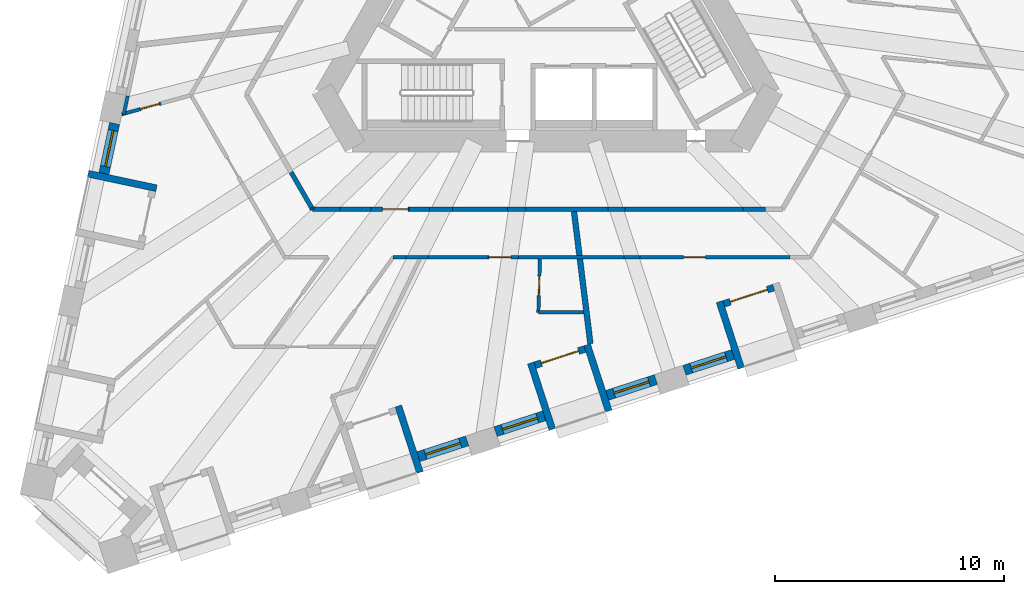
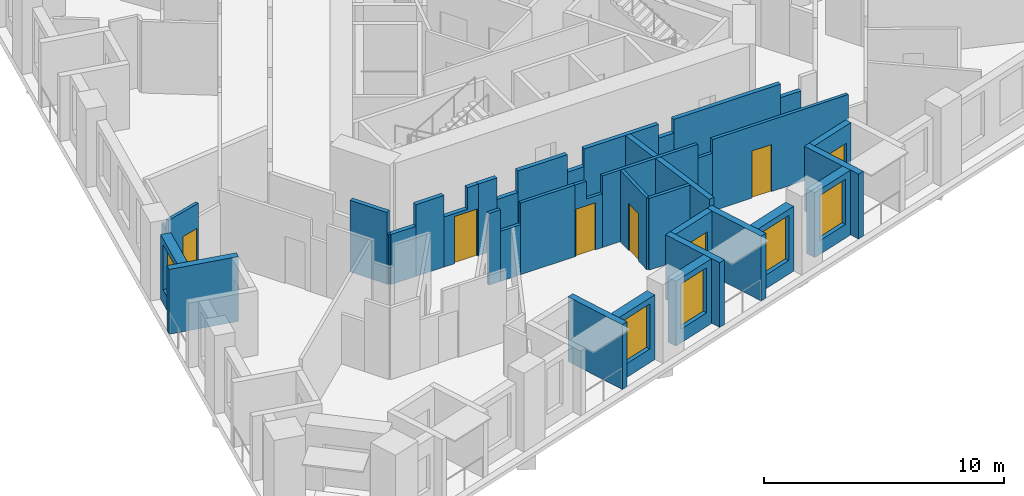
# One storey, part 3 of 13: 37 walls, 7 doors, 5 windows, 12 openings.
"""IFC4 building model written with IfcOpenShell, lengths in metres."""

from ifc_helpers import new_model, si_unit, direction, frame, frame_2d, origin, place, context, subcontext, project, spatial, polyline, rectangle, outline, extrude, material, layer, layer_set, type_object, element, fill, save


model = new_model("IFC4")

# Units and contexts
model_context = context("Model", 3, precision=1e-05, world=origin(), true_north=direction((0.0, 1.0)))
body_context = subcontext(model_context, "Body", "Model", "MODEL_VIEW")
ifc_project = project(units=[si_unit("LENGTHUNIT", "METRE"), si_unit("AREAUNIT", "SQUARE_METRE"), si_unit("VOLUMEUNIT", "CUBIC_METRE"), si_unit("PLANEANGLEUNIT", "RADIAN"), si_unit("MASSUNIT", "GRAM", prefix="KILO")], contexts=[model_context])

# Site, building, storey
site_placement = place(None, origin())
site = spatial("IfcSite", under=ifc_project, at=site_placement, CompositionType="ELEMENT")
building_placement = place(site_placement, origin())
building = spatial("IfcBuilding", under=site, at=building_placement, Name="Tramontana Tower", CompositionType="ELEMENT")
storey_placement = place(building_placement, frame((0.0, 0.0, 108.39990234375)))
storey = spatial("IfcBuildingStorey", under=building, at=storey_placement, Name="L24", CompositionType="ELEMENT", Elevation=108.39990234375)

# Walls
ifc_material_1 = material(Name="Blockwork", Category="masonry")
ifc_layer_1 = layer(ifc_material_1, 0.199951171875)
ifc_layer_set_1 = layer_set([ifc_layer_1], Name="ENTRY WALL 200")
wall_type_1 = type_object("IfcWallType", Name="ENTRY WALL 200", PredefinedType="SOLIDWALL", material=ifc_layer_set_1)
wall_1_placement = place(storey_placement, frame((9.50439453125, -9.25, 0.0), z_axis=(0.0, 0.0, 1.0), x_axis=(-1.0, 0.0, 0.0)))
element("IfcWall", 1, at=wall_1_placement, inside=storey, type_object=wall_type_1, Name="Wall v21-ew2-1", PredefinedType="SOLIDWALL", context=body_context, shape_type="SweptSolid", body=[
    extrude(rectangle(XDim=0.9775390625, YDim=0.199951171875, at=frame_2d((0.48876953125, 0.0))), origin(), (0.0, 0.0, 1.0), 2.9501953125),
])
wall_2_placement = place(storey_placement, frame((8.52685546875, -9.25, 0.0), z_axis=(0.0, 0.0, 1.0), x_axis=(-1.0, 0.0, 0.0)))
element("IfcWall", 2, at=wall_2_placement, inside=storey, type_object=wall_type_1, Name="Wall v21-ew2-2", PredefinedType="SOLIDWALL", context=body_context, shape_type="SweptSolid", body=[
    extrude(rectangle(XDim=5.1533203125, YDim=0.199951171875, at=frame_2d((2.57666015625, 0.0))), origin(), (0.0, 0.0, 1.0), 3.650146484375),
])
wall_3_placement = place(storey_placement, frame((3.37353515625, -9.25, 0.0), z_axis=(0.0, 0.0, 1.0), x_axis=(-1.0, 0.0, 0.0)))
element("IfcWall", 3, at=wall_3_placement, inside=storey, type_object=wall_type_1, Name="Wall v21-ew2-3", PredefinedType="SOLIDWALL", context=body_context, shape_type="SweptSolid", body=[
    extrude(rectangle(XDim=0.736083984375, YDim=0.199951171875, at=frame_2d((0.3681640625, 0.0))), origin(), (0.0, 0.0, 1.0), 2.9501953125),
])
wall_4_placement = place(storey_placement, frame((2.637451171875, -9.25, 0.0), z_axis=(0.0, 0.0, 1.0), x_axis=(-1.0, 0.0, 0.0)))
element("IfcWall", 4, at=wall_4_placement, inside=storey, type_object=wall_type_1, Name="Wall v21-ew2-4", PredefinedType="SOLIDWALL", context=body_context, shape_type="SweptSolid", body=[
    extrude(rectangle(XDim=3.576904296875, YDim=0.199951171875, at=frame_2d((1.78857421875, 0.0))), origin(), (0.0, 0.0, 1.0), 3.650146484375),
])
wall_5_placement = place(storey_placement, frame((-0.939453125, -9.25, 0.0), z_axis=(0.0, 0.0, 1.0), x_axis=(-1.0, 0.0, 0.0)))
element("IfcWall", 5, at=wall_5_placement, inside=storey, type_object=wall_type_1, Name="Wall v21-ew2-5", PredefinedType="SOLIDWALL", context=body_context, shape_type="SweptSolid", body=[
    extrude(rectangle(XDim=0.808349609375, YDim=0.199951171875, at=frame_2d((0.404296875, 0.0))), origin(), (0.0, 0.0, 1.0), 2.75),
])
wall_6_placement = place(storey_placement, frame((-1.747802734375, -9.25, 0.0), z_axis=(0.0, 0.0, 1.0), x_axis=(-1.0, 0.0, 0.0)))
element("IfcWall", 6, at=wall_6_placement, inside=storey, type_object=wall_type_1, Name="Wall v21-ew2-6", PredefinedType="SOLIDWALL", context=body_context, shape_type="SweptSolid", body=[
    extrude(rectangle(XDim=2.385498046875, YDim=0.199951171875, at=frame_2d((1.19287109375, 0.0))), origin(), (0.0, 0.0, 1.0), 3.650146484375),
])
wall_7_placement = place(storey_placement, frame((-4.13330078125, -9.25, 0.0), z_axis=(0.0, 0.0, 1.0), x_axis=(-1.0, 0.0, 0.0)))
element("IfcWall", 7, at=wall_7_placement, inside=storey, type_object=wall_type_1, Name="Wall v21-ew2-7", PredefinedType="SOLIDWALL", context=body_context, shape_type="SweptSolid", body=[
    extrude(rectangle(XDim=1.0068359375, YDim=0.199951171875, at=frame_2d((0.50341796875, 0.0))), origin(), (0.0, 0.0, 1.0), 2.550048828125),
])
wall_8_placement = place(storey_placement, frame((-5.14013671875, -9.25, 0.0), z_axis=(0.0, 0.0, 1.0), x_axis=(-1.0, 0.0, 0.0)))
element("IfcWall", 8, at=wall_8_placement, inside=storey, type_object=wall_type_1, Name="Wall v21-ew2-8", PredefinedType="SOLIDWALL", context=body_context, shape_type="SweptSolid", body=[
    extrude(rectangle(XDim=0.89990234375, YDim=0.199951171875, at=frame_2d((0.449951171875, 0.0))), origin(), (0.0, 0.0, 1.0), 3.650146484375),
])

# Wall, opening, door
wall_9_placement = place(storey_placement, frame((-7.695556640625, -9.25, 0.0), z_axis=(0.0, 0.0, 1.0), x_axis=(1.0, 0.0, 0.0)))
wall_9 = element("IfcWall", 9, at=wall_9_placement, inside=storey, type_object=wall_type_1, Name="Wall v21-ew2-9", PredefinedType="SOLIDWALL", context=body_context, shape_type="SweptSolid", body=[
    extrude(outline(polyline([(0.0, 0.0), (1.655517578125, 0.0), (1.655517578125, 3.650146484375), (1.13623046875, 3.650146484375), (1.13623046875, 2.550048828125), (0.0, 2.550048828125), (0.0, 0.0)])), frame((0.0, 0.10009765625, 0.0), z_axis=(0.0, -1.0, 0.0), x_axis=(1.0, 0.0, 0.0)), (0.0, 0.0, 1.0), 0.199951171875),
])
opening_1_placement = place(wall_9_placement, frame((0.50537109375, 0.0, 0.0)))
opening_1 = element("IfcOpeningElement", 10, at=opening_1_placement, cuts=wall_9, Name="Opening B2B-27", PredefinedType="OPENING", context=body_context, shape_type="SweptSolid", body=[
    extrude(rectangle(XDim=1.10009765625, YDim=2.39990234375, at=frame_2d((0.550048828125, 1.199951171875))), frame((0.0, 0.10986328125, 0.0), z_axis=(0.0, -1.0, 0.0), x_axis=(1.0, 0.0, 0.0)), (0.0, 0.0, 1.0), 0.219970703125),
])
ifc_material_2 = material(Name="Painted timber", Category="wood")
door_type_1 = type_object("IfcDoorType", Name="DOOR ENTRY 1100", OperationType="SINGLE_SWING_LEFT", PredefinedType="DOOR", material=ifc_material_2)
door_1_placement = place(opening_1_placement, origin())
door_1 = element("IfcDoor", 11, at=door_1_placement, inside=storey, type_object=door_type_1, Name="Door B2B-27", OperationType="SINGLE_SWING_LEFT", OverallHeight=2.39990234375, OverallWidth=1.10009765625, PredefinedType="DOOR", context=body_context, shape_type="SweptSolid", body=[
    extrude(rectangle(XDim=1.10009765625, YDim=2.39990234375, at=frame_2d((0.550048828125, 1.199951171875))), frame((0.0, 0.02490234375, 0.0), z_axis=(0.0, -1.0, 0.0), x_axis=(1.0, 0.0, 0.0)), (0.0, 0.0, 1.0), 0.050048828125),
])
fill(opening_1, door_1)

# Walls
wall_10_placement = place(storey_placement, frame((-7.695556640625, -9.25, 0.0), z_axis=(0.0, 0.0, 1.0), x_axis=(-1.0, 0.0, 0.0)))
element("IfcWall", 12, at=wall_10_placement, inside=storey, type_object=wall_type_1, Name="Wall v21-ew2-10", PredefinedType="SOLIDWALL", context=body_context, shape_type="SweptSolid", body=[
    extrude(rectangle(XDim=1.3603515625, YDim=0.199951171875, at=frame_2d((0.68017578125, 0.0))), origin(), (0.0, 0.0, 1.0), 3.650146484375),
])
wall_11_placement = place(storey_placement, frame((-9.055908203125, -9.25, 0.0), z_axis=(0.0, 0.0, 1.0), x_axis=(-1.0, 0.0, 0.0)))
element("IfcWall", 13, at=wall_11_placement, inside=storey, type_object=wall_type_1, Name="Wall v21-ew2-11", PredefinedType="SOLIDWALL", context=body_context, shape_type="SweptSolid", body=[
    extrude(rectangle(XDim=1.192138671875, YDim=0.199951171875, at=frame_2d((0.59619140625, 0.0))), origin(), (0.0, 0.0, 1.0), 2.550048828125),
])
wall_12_placement = place(storey_placement, frame((-10.248046875, -9.25, 0.0), z_axis=(0.0, 0.0, 1.0), x_axis=(-0.499103811596, 0.866542200502, 0.0)))
element("IfcWall", 14, at=wall_12_placement, inside=storey, type_object=wall_type_1, Name="Wall v21-ew3-0", PredefinedType="SOLIDWALL", context=body_context, shape_type="SweptSolid", body=[
    extrude(rectangle(XDim=0.079833984375, YDim=0.199951171875, at=frame_2d((0.0400390625, 0.0))), origin(), (0.0, 0.0, 1.0), 2.550048828125),
])
wall_13_placement = place(storey_placement, frame((-10.287841796875, -9.180908203125, 0.0), z_axis=(0.0, 0.0, 1.0), x_axis=(-0.499986405537, 0.866033252409, 0.0)))
element("IfcWall", 15, at=wall_13_placement, inside=storey, type_object=wall_type_1, Name="Wall v21-ew3-1", PredefinedType="SOLIDWALL", context=body_context, shape_type="SweptSolid", body=[
    extrude(rectangle(XDim=1.7880859375, YDim=0.199951171875, at=frame_2d((0.89404296875, 0.0))), origin(), (0.0, 0.0, 1.0), 3.650146484375),
])

# Wall, opening, window
ifc_material_3 = material(Name="Precast concrete 60 MPa", Category="concrete")
ifc_layer_2 = layer(ifc_material_3, 0.449951171875)
ifc_layer_set_2 = layer_set([ifc_layer_2], Name="Precast concrete 60 MPa, 450 mm")
wall_type_2 = type_object("IfcWallType", Name="EW1 Stone-faced precast wall 450", PredefinedType="SOLIDWALL", material=ifc_layer_set_2)
wall_14_placement = place(storey_placement, frame((-18.882080078125, -5.504638671875, 0.0), z_axis=(0.0, 0.0, 1.0), x_axis=(-0.207918801611, -0.978146089261, 0.0)))
wall_14 = element("IfcWall", 16, at=wall_14_placement, inside=storey, type_object=wall_type_2, Name="External wall L24 face 0 bay 5", PredefinedType="SOLIDWALL", context=body_context, shape_type="SweptSolid", body=[
    extrude(rectangle(XDim=2.23681640625, YDim=0.449951171875, at=frame_2d((1.118408203125, 0.0))), origin(), (0.0, 0.0, 1.0), 3.300048828125),
])
opening_2_placement = place(wall_14_placement, frame((0.318359375, 0.0, 0.699951171875)))
opening_2 = element("IfcOpeningElement", 17, at=opening_2_placement, cuts=wall_14, Name="Opening M1", PredefinedType="OPENING", context=body_context, shape_type="SweptSolid", body=[
    extrude(rectangle(XDim=1.60009765625, YDim=2.300048828125, at=frame_2d((0.800048828125, 1.14990234375))), frame((0.0, 0.23486328125, 0.0), z_axis=(0.0, -1.0, 0.0), x_axis=(1.0, 0.0, 0.0)), (0.0, 0.0, 1.0), 0.469970703125),
])
ifc_material_4 = material(Name="Aluminum frame, double glazing unit", Category="aluminium")
window_type = type_object("IfcWindowType", Name="M1 Window 1.6 x 2.3", PartitioningType="SINGLE_PANEL", PredefinedType="WINDOW", material=ifc_material_4)
window_1_placement = place(opening_2_placement, origin())
window_1 = element("IfcWindow", 18, at=window_1_placement, inside=storey, type_object=window_type, Name="Window M1 L24 face 0 module 13", OverallHeight=2.300048828125, OverallWidth=1.60009765625, PartitioningType="SINGLE_PANEL", PredefinedType="WINDOW", context=body_context, shape_type="SweptSolid", body=[
    extrude(rectangle(XDim=1.60009765625, YDim=2.300048828125, at=frame_2d((0.800048828125, 1.14990234375))), frame((0.0, 0.030029296875, 0.0), z_axis=(0.0, -1.0, 0.0), x_axis=(1.0, 0.0, 0.0)), (0.0, 0.0, 1.0), 0.06005859375),
])
fill(opening_2, window_1)

wall_15_placement = place(storey_placement, frame((-5.628173828125, -20.045166015625, 0.0), z_axis=(0.0, 0.0, 1.0), x_axis=(0.951057328329, 0.30901449518, 0.0)))
wall_15 = element("IfcWall", 19, at=wall_15_placement, inside=storey, type_object=wall_type_2, Name="External wall L24 face 1 bay 2", PredefinedType="SOLIDWALL", context=body_context, shape_type="SweptSolid", body=[
    extrude(rectangle(XDim=2.236572265625, YDim=0.449951171875, at=frame_2d((1.1181640625, 0.0))), origin(), (0.0, 0.0, 1.0), 3.300048828125),
])
opening_3_placement = place(wall_15_placement, frame((0.318359375, 0.0, 0.699951171875)))
opening_3 = element("IfcOpeningElement", 20, at=opening_3_placement, cuts=wall_15, Name="Opening M1", PredefinedType="OPENING", context=body_context, shape_type="SweptSolid", body=[
    extrude(rectangle(XDim=1.60009765625, YDim=2.300048828125, at=frame_2d((0.800048828125, 1.14990234375))), frame((0.0, 0.23486328125, 0.0), z_axis=(0.0, -1.0, 0.0), x_axis=(1.0, 0.0, 0.0)), (0.0, 0.0, 1.0), 0.469970703125),
])
window_2_placement = place(opening_3_placement, origin())
window_2 = element("IfcWindow", 21, at=window_2_placement, inside=storey, type_object=window_type, Name="Window M1 L24 face 1 module 6", OverallHeight=2.300048828125, OverallWidth=1.60009765625, PartitioningType="SINGLE_PANEL", PredefinedType="WINDOW", context=body_context, shape_type="SweptSolid", body=[
    extrude(rectangle(XDim=1.60009765625, YDim=2.300048828125, at=frame_2d((0.800048828125, 1.14990234375))), frame((0.0, 0.030029296875, 0.0), z_axis=(0.0, -1.0, 0.0), x_axis=(1.0, 0.0, 0.0)), (0.0, 0.0, 1.0), 0.06005859375),
])
fill(opening_3, window_2)

wall_16_placement = place(storey_placement, frame((-2.264404296875, -18.952392578125, 0.0), z_axis=(0.0, 0.0, 1.0), x_axis=(0.951057328329, 0.30901449518, 0.0)))
wall_16 = element("IfcWall", 22, at=wall_16_placement, inside=storey, type_object=wall_type_2, Name="External wall L24 face 1 bay 3", PredefinedType="SOLIDWALL", context=body_context, shape_type="SweptSolid", body=[
    extrude(rectangle(XDim=2.236572265625, YDim=0.449951171875, at=frame_2d((1.1181640625, 0.0))), origin(), (0.0, 0.0, 1.0), 3.300048828125),
])
opening_4_placement = place(wall_16_placement, frame((0.318359375, 0.0, 0.699951171875)))
opening_4 = element("IfcOpeningElement", 23, at=opening_4_placement, cuts=wall_16, Name="Opening M1", PredefinedType="OPENING", context=body_context, shape_type="SweptSolid", body=[
    extrude(rectangle(XDim=1.60009765625, YDim=2.300048828125, at=frame_2d((0.800048828125, 1.14990234375))), frame((0.0, 0.23486328125, 0.0), z_axis=(0.0, -1.0, 0.0), x_axis=(1.0, 0.0, 0.0)), (0.0, 0.0, 1.0), 0.469970703125),
])
window_3_placement = place(opening_4_placement, origin())
window_3 = element("IfcWindow", 24, at=window_3_placement, inside=storey, type_object=window_type, Name="Window M1 L24 face 1 module 7", OverallHeight=2.300048828125, OverallWidth=1.60009765625, PartitioningType="SINGLE_PANEL", PredefinedType="WINDOW", context=body_context, shape_type="SweptSolid", body=[
    extrude(rectangle(XDim=1.60009765625, YDim=2.300048828125, at=frame_2d((0.800048828125, 1.14990234375))), frame((0.0, 0.030029296875, 0.0), z_axis=(0.0, -1.0, 0.0), x_axis=(1.0, 0.0, 0.0)), (0.0, 0.0, 1.0), 0.06005859375),
])
fill(opening_4, window_3)

wall_17_placement = place(storey_placement, frame((2.608154296875, -17.369140625, 0.0), z_axis=(0.0, 0.0, 1.0), x_axis=(0.951067749801, 0.30898241906, 0.0)))
wall_17 = element("IfcWall", 25, at=wall_17_placement, inside=storey, type_object=wall_type_2, Name="External wall L24 face 1 bay 3", PredefinedType="SOLIDWALL", context=body_context, shape_type="SweptSolid", body=[
    extrude(rectangle(XDim=2.23681640625, YDim=0.449951171875, at=frame_2d((1.118408203125, 0.0))), origin(), (0.0, 0.0, 1.0), 3.300048828125),
])
opening_5_placement = place(wall_17_placement, frame((0.318359375, 0.0, 0.699951171875)))
opening_5 = element("IfcOpeningElement", 26, at=opening_5_placement, cuts=wall_17, Name="Opening M1", PredefinedType="OPENING", context=body_context, shape_type="SweptSolid", body=[
    extrude(rectangle(XDim=1.60009765625, YDim=2.300048828125, at=frame_2d((0.800048828125, 1.14990234375))), frame((0.0, 0.23486328125, 0.0), z_axis=(0.0, -1.0, 0.0), x_axis=(1.0, 0.0, 0.0)), (0.0, 0.0, 1.0), 0.469970703125),
])
window_4_placement = place(opening_5_placement, origin())
window_4 = element("IfcWindow", 27, at=window_4_placement, inside=storey, type_object=window_type, Name="Window M1 L24 face 1 module 9", OverallHeight=2.300048828125, OverallWidth=1.60009765625, PartitioningType="SINGLE_PANEL", PredefinedType="WINDOW", context=body_context, shape_type="SweptSolid", body=[
    extrude(rectangle(XDim=1.60009765625, YDim=2.300048828125, at=frame_2d((0.800048828125, 1.14990234375))), frame((0.0, 0.030029296875, 0.0), z_axis=(0.0, -1.0, 0.0), x_axis=(1.0, 0.0, 0.0)), (0.0, 0.0, 1.0), 0.06005859375),
])
fill(opening_5, window_4)

wall_18_placement = place(storey_placement, frame((5.971923828125, -16.276123046875, 0.0), z_axis=(0.0, 0.0, 1.0), x_axis=(0.951057328329, 0.30901449518, 0.0)))
wall_18 = element("IfcWall", 28, at=wall_18_placement, inside=storey, type_object=wall_type_2, Name="External wall L24 face 1 bay 4", PredefinedType="SOLIDWALL", context=body_context, shape_type="SweptSolid", body=[
    extrude(rectangle(XDim=2.236572265625, YDim=0.449951171875, at=frame_2d((1.1181640625, 0.0))), origin(), (0.0, 0.0, 1.0), 3.300048828125),
])
opening_6_placement = place(wall_18_placement, frame((0.318359375, 0.0, 0.699951171875)))
opening_6 = element("IfcOpeningElement", 29, at=opening_6_placement, cuts=wall_18, Name="Opening M1", PredefinedType="OPENING", context=body_context, shape_type="SweptSolid", body=[
    extrude(rectangle(XDim=1.60009765625, YDim=2.300048828125, at=frame_2d((0.800048828125, 1.14990234375))), frame((0.0, 0.23486328125, 0.0), z_axis=(0.0, -1.0, 0.0), x_axis=(1.0, 0.0, 0.0)), (0.0, 0.0, 1.0), 0.469970703125),
])
window_5_placement = place(opening_6_placement, origin())
window_5 = element("IfcWindow", 30, at=window_5_placement, inside=storey, type_object=window_type, Name="Window M1 L24 face 1 module 10", OverallHeight=2.300048828125, OverallWidth=1.60009765625, PartitioningType="SINGLE_PANEL", PredefinedType="WINDOW", context=body_context, shape_type="SweptSolid", body=[
    extrude(rectangle(XDim=1.60009765625, YDim=2.300048828125, at=frame_2d((0.800048828125, 1.14990234375))), frame((0.0, 0.030029296875, 0.0), z_axis=(0.0, -1.0, 0.0), x_axis=(1.0, 0.0, 0.0)), (0.0, 0.0, 1.0), 0.06005859375),
])
fill(opening_6, window_5)

# Walls
ifc_material_5 = material(Name="Precast concrete 60 MPa", Category="concrete")
ifc_layer_3 = layer(ifc_material_5, 0.300048828125)
ifc_layer_set_3 = layer_set([ifc_layer_3], Name="LW1 Stone-faced loggia wall 300")
wall_type_3 = type_object("IfcWallType", Name="LW1 Stone-faced loggia wall 300", PredefinedType="SOLIDWALL", material=ifc_layer_set_3)
for number, where, z_axis, x_axis, name in (
    (31, (-20.03857421875, -7.698974609375, 0.0), (0.0, 0.0, 1.0), (0.978154782045, -0.207877902534, 0.0), "Loggia return L24 G2S0.13a"),
    (32, (-5.562255859375, -20.733642578125, 0.0), (0.0, 0.0, 1.0), (-0.308966615996, 0.951072883748, 0.0), "Loggia return L24 G2S1.4b"),
):
    element("IfcWall", number, at=place(storey_placement, frame(where, z_axis=z_axis, x_axis=x_axis)), inside=storey, type_object=wall_type_3, Name=name, PredefinedType="SOLIDWALL", context=body_context, shape_type="SweptSolid", body=[
        extrude(rectangle(XDim=3.050048828125, YDim=0.300048828125, at=frame_2d((1.52490234375, 0.0))), origin(), (0.0, 0.0, 1.0), 3.300048828125),
    ])

# Wall, opening, door
wall_19_placement = place(storey_placement, frame((-0.53955078125, -16.05224609375, 0.0), z_axis=(0.0, 0.0, 1.0), x_axis=(0.951078776318, 0.308948476671, 0.0)))
wall_19 = element("IfcWall", 33, at=wall_19_placement, inside=storey, type_object=wall_type_3, Name="Loggia wall L24 G2S1.7", PredefinedType="SOLIDWALL", context=body_context, shape_type="SweptSolid", body=[
    extrude(rectangle(XDim=2.286865234375, YDim=0.300048828125, at=frame_2d((1.1435546875, 0.0))), origin(), (0.0, 0.0, 1.0), 3.300048828125),
])
opening_7_placement = place(wall_19_placement, frame((0.29345703125, 0.0, 0.0)))
opening_7 = element("IfcOpeningElement", 34, at=opening_7_placement, cuts=wall_19, Name="Opening BD-2S1-07", PredefinedType="OPENING", context=body_context, shape_type="SweptSolid", body=[
    extrude(rectangle(XDim=1.699951171875, YDim=2.39990234375, at=frame_2d((0.85009765625, 1.199951171875))), frame((0.0, 0.159912109375, 0.0), z_axis=(0.0, -1.0, 0.0), x_axis=(1.0, 0.0, 0.0)), (0.0, 0.0, 1.0), 0.320068359375),
])
ifc_material_6 = material(Name="Aluminum frame, double glazing unit", Category="aluminium")
door_type_2 = type_object("IfcDoorType", Name="BD1 Sliding door 1.7 x 2.4", OperationType="SLIDING_TO_LEFT", PredefinedType="DOOR", material=ifc_material_6)
door_2_placement = place(opening_7_placement, origin())
door_2 = element("IfcDoor", 35, at=door_2_placement, inside=storey, type_object=door_type_2, Name="Loggia door L24 G2S1.7", OperationType="SLIDING_TO_LEFT", OverallHeight=2.39990234375, OverallWidth=1.699951171875, PredefinedType="DOOR", context=body_context, shape_type="SweptSolid", body=[
    extrude(rectangle(XDim=1.699951171875, YDim=2.39990234375, at=frame_2d((0.85009765625, 1.199951171875))), frame((0.0, 0.02490234375, 0.0), z_axis=(0.0, -1.0, 0.0), x_axis=(1.0, 0.0, 0.0)), (0.0, 0.0, 1.0), 0.050048828125),
])
fill(opening_7, door_2)

# Walls
wall_20_placement = place(storey_placement, frame((0.214111328125, -18.856689453125, 0.0), z_axis=(0.0, 0.0, 1.0), x_axis=(-0.309062542235, 0.951041715693, 0.0)))
element("IfcWall", 36, at=wall_20_placement, inside=storey, type_object=wall_type_3, Name="Loggia return L24 G2S1.7a", PredefinedType="SOLIDWALL", context=body_context, shape_type="SweptSolid", body=[
    extrude(rectangle(XDim=3.050048828125, YDim=0.300048828125, at=frame_2d((1.52490234375, 0.0))), origin(), (0.0, 0.0, 1.0), 3.300048828125),
])
wall_21_placement = place(storey_placement, frame((2.674072265625, -18.057373046875, 0.0), z_axis=(0.0, 0.0, 1.0), x_axis=(-0.308990138358, 0.951065241925, 0.0)))
element("IfcWall", 37, at=wall_21_placement, inside=storey, type_object=wall_type_3, Name="Loggia return L24 G2S1.7b", PredefinedType="SOLIDWALL", context=body_context, shape_type="SweptSolid", body=[
    extrude(rectangle(XDim=3.0498046875, YDim=0.300048828125, at=frame_2d((1.52490234375, 0.0))), origin(), (0.0, 0.0, 1.0), 3.300048828125),
])

# Wall, opening, door
wall_22_placement = place(storey_placement, frame((7.697021484375, -13.376220703125, 0.0), z_axis=(0.0, 0.0, 1.0), x_axis=(0.95103720697, 0.309076416051, 0.0)))
wall_22 = element("IfcWall", 38, at=wall_22_placement, inside=storey, type_object=wall_type_3, Name="Loggia wall L24 G2S1.10", PredefinedType="SOLIDWALL", context=body_context, shape_type="SweptSolid", body=[
    extrude(rectangle(XDim=2.286865234375, YDim=0.300048828125, at=frame_2d((1.1435546875, 0.0))), origin(), (0.0, 0.0, 1.0), 3.300048828125),
])
opening_8_placement = place(wall_22_placement, frame((0.29345703125, 0.0, 0.0)))
opening_8 = element("IfcOpeningElement", 39, at=opening_8_placement, cuts=wall_22, Name="Opening BD-2S1-10", PredefinedType="OPENING", context=body_context, shape_type="SweptSolid", body=[
    extrude(rectangle(XDim=1.699951171875, YDim=2.39990234375, at=frame_2d((0.85009765625, 1.199951171875))), frame((0.0, 0.159912109375, 0.0), z_axis=(0.0, -1.0, 0.0), x_axis=(1.0, 0.0, 0.0)), (0.0, 0.0, 1.0), 0.320068359375),
])
door_3_placement = place(opening_8_placement, origin())
door_3 = element("IfcDoor", 40, at=door_3_placement, inside=storey, type_object=door_type_2, Name="Loggia door L24 G2S1.10", OperationType="SLIDING_TO_LEFT", OverallHeight=2.39990234375, OverallWidth=1.699951171875, PredefinedType="DOOR", context=body_context, shape_type="SweptSolid", body=[
    extrude(rectangle(XDim=1.699951171875, YDim=2.39990234375, at=frame_2d((0.85009765625, 1.199951171875))), frame((0.0, 0.02490234375, 0.0), z_axis=(0.0, -1.0, 0.0), x_axis=(1.0, 0.0, 0.0)), (0.0, 0.0, 1.0), 0.050048828125),
])
fill(opening_8, door_3)

# Walls
wall_23_placement = place(storey_placement, frame((8.450439453125, -16.1806640625, 0.0), z_axis=(0.0, 0.0, 1.0), x_axis=(-0.309039015525, 0.951049360908, 0.0)))
element("IfcWall", 41, at=wall_23_placement, inside=storey, type_object=wall_type_3, Name="Loggia return L24 G2S1.10a", PredefinedType="SOLIDWALL", context=body_context, shape_type="SweptSolid", body=[
    extrude(rectangle(XDim=3.05029296875, YDim=0.300048828125, at=frame_2d((1.525146484375, 0.0))), origin(), (0.0, 0.0, 1.0), 3.300048828125),
])
ifc_material_7 = material(Name="Gypsum board partition")
ifc_layer_4 = layer(ifc_material_7, 0.14990234375)
ifc_layer_set_4 = layer_set([ifc_layer_4], Name="PARTITION 150")
wall_type_4 = type_object("IfcWallType", Name="PARTITION 150", PredefinedType="PARTITIONING", material=ifc_layer_set_4)
wall_24_placement = place(storey_placement, frame((-18.483642578125, -5.12158203125, 0.0), z_axis=(0.0, 0.0, 1.0), x_axis=(0.207886810037, 0.978152888976, 0.0)))
element("IfcWall", 42, at=wall_24_placement, inside=storey, type_object=wall_type_4, Name="Wall v21-pw01-0", PredefinedType="PARTITIONING", context=body_context, shape_type="SweptSolid", body=[
    extrude(rectangle(XDim=0.832763671875, YDim=0.14990234375, at=frame_2d((0.41650390625, 0.0))), origin(), (0.0, 0.0, 1.0), 2.9501953125),
])

# Wall, opening, door
wall_25_placement = place(storey_placement, frame((-18.56689453125, -5.10400390625, 0.0), z_axis=(0.0, 0.0, 1.0), x_axis=(0.964230082974, 0.265066684229, 0.0)))
wall_25 = element("IfcWall", 43, at=wall_25_placement, inside=storey, type_object=wall_type_4, Name="Wall v21-pw03-1", PredefinedType="PARTITIONING", context=body_context, shape_type="SweptSolid", body=[
    extrude(rectangle(XDim=1.769287109375, YDim=0.14990234375, at=frame_2d((0.884765625, 0.0))), origin(), (0.0, 0.0, 1.0), 3.650146484375),
])
opening_9_placement = place(wall_25_placement, frame((0.841552734375, 0.0, 0.0)))
opening_9 = element("IfcOpeningElement", 44, at=opening_9_placement, cuts=wall_25, Name="Opening B2B-15", PredefinedType="OPENING", context=body_context, shape_type="SweptSolid", body=[
    extrude(rectangle(XDim=0.85009765625, YDim=2.39990234375, at=frame_2d((0.425048828125, 1.199951171875))), frame((0.0, 0.0849609375, 0.0), z_axis=(0.0, -1.0, 0.0), x_axis=(1.0, 0.0, 0.0)), (0.0, 0.0, 1.0), 0.169921875),
])
ifc_material_8 = material(Name="Painted timber", Category="wood")
door_type_3 = type_object("IfcDoorType", Name="DOOR BATH 850", OperationType="SINGLE_SWING_LEFT", PredefinedType="DOOR", material=ifc_material_8)
door_4_placement = place(opening_9_placement, origin())
door_4 = element("IfcDoor", 45, at=door_4_placement, inside=storey, type_object=door_type_3, Name="Door B2B-15", OperationType="SINGLE_SWING_LEFT", OverallHeight=2.39990234375, OverallWidth=0.85009765625, PredefinedType="DOOR", context=body_context, shape_type="SweptSolid", body=[
    extrude(rectangle(XDim=0.85009765625, YDim=2.39990234375, at=frame_2d((0.425048828125, 1.199951171875))), frame((0.0, 0.02490234375, 0.0), z_axis=(0.0, -1.0, 0.0), x_axis=(1.0, 0.0, 0.0)), (0.0, 0.0, 1.0), 0.050048828125),
])
fill(opening_9, door_4)

wall_26_placement = place(storey_placement, frame((-0.32763671875, -11.425048828125, 0.0), z_axis=(0.0, 0.0, 1.0), x_axis=(-0.028760543361, -0.999586330011, 0.0)))
wall_26 = element("IfcWall", 46, at=wall_26_placement, inside=storey, type_object=wall_type_4, Name="Wall v21-pw32", PredefinedType="PARTITIONING", context=body_context, shape_type="SweptSolid", body=[
    extrude(rectangle(XDim=2.325927734375, YDim=0.14990234375, at=frame_2d((1.1630859375, 0.0))), origin(), (0.0, 0.0, 1.0), 3.650146484375),
])
opening_10_placement = place(wall_26_placement, frame((0.738037109375, 0.0, 0.0)))
opening_10 = element("IfcOpeningElement", 47, at=opening_10_placement, cuts=wall_26, Name="Opening B2B-16", PredefinedType="OPENING", context=body_context, shape_type="SweptSolid", body=[
    extrude(rectangle(XDim=0.85009765625, YDim=2.39990234375, at=frame_2d((0.425048828125, 1.199951171875))), frame((0.0, 0.0849609375, 0.0), z_axis=(0.0, -1.0, 0.0), x_axis=(1.0, 0.0, 0.0)), (0.0, 0.0, 1.0), 0.169921875),
])
door_5_placement = place(opening_10_placement, origin())
door_5 = element("IfcDoor", 48, at=door_5_placement, inside=storey, type_object=door_type_3, Name="Door B2B-16", OperationType="SINGLE_SWING_RIGHT", OverallHeight=2.39990234375, OverallWidth=0.85009765625, PredefinedType="DOOR", context=body_context, shape_type="SweptSolid", body=[
    extrude(rectangle(XDim=0.85009765625, YDim=2.39990234375, at=frame_2d((0.425048828125, 1.199951171875))), frame((0.0, 0.02490234375, 0.0), z_axis=(0.0, -1.0, 0.0), x_axis=(1.0, 0.0, 0.0)), (0.0, 0.0, 1.0), 0.050048828125),
])
fill(opening_10, door_5)

# Wall
wall_27_placement = place(storey_placement, frame((1.57958984375, -13.75, 0.0), z_axis=(0.0, 0.0, 1.0), x_axis=(-1.0, 0.0, 0.0)))
element("IfcWall", 49, at=wall_27_placement, inside=storey, type_object=wall_type_4, Name="Wall v21-pw34", PredefinedType="PARTITIONING", context=body_context, shape_type="SweptSolid", body=[
    extrude(rectangle(XDim=1.97412109375, YDim=0.14990234375, at=frame_2d((0.987060546875, 0.0))), origin(), (0.0, 0.0, 1.0), 3.650146484375),
])

# Wall, opening, door
wall_28_placement = place(storey_placement, frame((10.591064453125, -11.35009765625, 0.0), z_axis=(0.0, 0.0, 1.0), x_axis=(-1.0, 0.0, 0.0)))
wall_28 = element("IfcWall", 50, at=wall_28_placement, inside=storey, type_object=wall_type_4, Name="Wall v21-pw44-1", PredefinedType="PARTITIONING", context=body_context, shape_type="SweptSolid", body=[
    extrude(rectangle(XDim=6.54833984375, YDim=0.14990234375, at=frame_2d((3.274169921875, 0.0))), origin(), (0.0, 0.0, 1.0), 3.650146484375),
])
opening_11_placement = place(wall_28_placement, frame((3.7021484375, 0.0, 0.0)))
opening_11 = element("IfcOpeningElement", 51, at=opening_11_placement, cuts=wall_28, Name="Opening B2B-21", PredefinedType="OPENING", context=body_context, shape_type="SweptSolid", body=[
    extrude(rectangle(XDim=0.949951171875, YDim=2.39990234375, at=frame_2d((0.47509765625, 1.199951171875))), frame((0.0, 0.0849609375, 0.0), z_axis=(0.0, -1.0, 0.0), x_axis=(1.0, 0.0, 0.0)), (0.0, 0.0, 1.0), 0.169921875),
])
ifc_material_9 = material(Name="Painted timber", Category="wood")
door_type_4 = type_object("IfcDoorType", Name="DOOR ROOM 950", OperationType="SINGLE_SWING_LEFT", PredefinedType="DOOR", material=ifc_material_9)
door_6_placement = place(opening_11_placement, origin())
door_6 = element("IfcDoor", 52, at=door_6_placement, inside=storey, type_object=door_type_4, Name="Door B2B-21", OperationType="SINGLE_SWING_LEFT", OverallHeight=2.39990234375, OverallWidth=0.949951171875, PredefinedType="DOOR", context=body_context, shape_type="SweptSolid", body=[
    extrude(rectangle(XDim=0.949951171875, YDim=2.39990234375, at=frame_2d((0.47509765625, 1.199951171875))), frame((0.0, 0.02490234375, 0.0), z_axis=(0.0, -1.0, 0.0), x_axis=(1.0, 0.0, 0.0)), (0.0, 0.0, 1.0), 0.050048828125),
])
fill(opening_11, door_6)

# Walls
wall_29_placement = place(storey_placement, frame((4.042724609375, -11.35009765625, 0.0), z_axis=(0.0, 0.0, 1.0), x_axis=(-1.0, 0.0, 0.0)))
element("IfcWall", 53, at=wall_29_placement, inside=storey, type_object=wall_type_4, Name="Wall v21-pw44-2", PredefinedType="PARTITIONING", context=body_context, shape_type="SweptSolid", body=[
    extrude(rectangle(XDim=0.709716796875, YDim=0.14990234375, at=frame_2d((0.35498046875, 0.0))), origin(), (0.0, 0.0, 1.0), 2.9501953125),
])
wall_30_placement = place(storey_placement, frame((3.3330078125, -11.35009765625, 0.0), z_axis=(0.0, 0.0, 1.0), x_axis=(-1.0, 0.0, 0.0)))
element("IfcWall", 54, at=wall_30_placement, inside=storey, type_object=wall_type_4, Name="Wall v21-pw44-3", PredefinedType="PARTITIONING", context=body_context, shape_type="SweptSolid", body=[
    extrude(rectangle(XDim=4.590087890625, YDim=0.14990234375, at=frame_2d((2.294921875, 0.0))), origin(), (0.0, 0.0, 1.0), 3.650146484375),
])

# Wall, opening, door
wall_31_placement = place(storey_placement, frame((-1.257080078125, -11.35009765625, 0.0), z_axis=(0.0, 0.0, 1.0), x_axis=(-1.0, 0.0, 0.0)))
wall_31 = element("IfcWall", 55, at=wall_31_placement, inside=storey, type_object=wall_type_4, Name="Wall v21-pw44-4", PredefinedType="PARTITIONING", context=body_context, shape_type="SweptSolid", body=[
    extrude(outline(polyline([(0.0, 0.0), (1.332763671875, 0.0), (1.332763671875, 3.650146484375), (0.783203125, 3.650146484375), (0.783203125, 2.75), (0.0, 2.75), (0.0, 0.0)])), frame((0.0, 0.074951171875, 0.0), z_axis=(0.0, -1.0, 0.0), x_axis=(1.0, 0.0, 0.0)), (0.0, 0.0, 1.0), 0.14990234375),
])
opening_12_placement = place(wall_31_placement, frame((0.332763671875, 0.0, 0.0)))
opening_12 = element("IfcOpeningElement", 56, at=opening_12_placement, cuts=wall_31, Name="Opening B2B-14", PredefinedType="OPENING", context=body_context, shape_type="SweptSolid", body=[
    extrude(rectangle(XDim=0.949951171875, YDim=2.39990234375, at=frame_2d((0.47509765625, 1.199951171875))), frame((0.0, 0.0849609375, 0.0), z_axis=(0.0, -1.0, 0.0), x_axis=(1.0, 0.0, 0.0)), (0.0, 0.0, 1.0), 0.169921875),
])
door_7_placement = place(opening_12_placement, origin())
door_7 = element("IfcDoor", 57, at=door_7_placement, inside=storey, type_object=door_type_4, Name="Door B2B-14", OperationType="SINGLE_SWING_RIGHT", OverallHeight=2.39990234375, OverallWidth=0.949951171875, PredefinedType="DOOR", context=body_context, shape_type="SweptSolid", body=[
    extrude(rectangle(XDim=0.949951171875, YDim=2.39990234375, at=frame_2d((0.47509765625, 1.199951171875))), frame((0.0, 0.02490234375, 0.0), z_axis=(0.0, -1.0, 0.0), x_axis=(1.0, 0.0, 0.0)), (0.0, 0.0, 1.0), 0.050048828125),
])
fill(opening_12, door_7)

# Walls
wall_32_placement = place(storey_placement, frame((-2.58984375, -11.35009765625, 0.0), z_axis=(0.0, 0.0, 1.0), x_axis=(-1.0, 0.0, 0.0)))
element("IfcWall", 58, at=wall_32_placement, inside=storey, type_object=wall_type_4, Name="Wall v21-pw44-5", PredefinedType="PARTITIONING", context=body_context, shape_type="SweptSolid", body=[
    extrude(rectangle(XDim=2.610107421875, YDim=0.14990234375, at=frame_2d((1.30517578125, 0.0))), origin(), (0.0, 0.0, 1.0), 3.650146484375),
])
wall_33_placement = place(storey_placement, frame((-5.199951171875, -11.35009765625, 0.0), z_axis=(0.0, 0.0, 1.0), x_axis=(-1.0, 0.0, 0.0)))
element("IfcWall", 59, at=wall_33_placement, inside=storey, type_object=wall_type_4, Name="Wall v21-pw44-6", PredefinedType="PARTITIONING", context=body_context, shape_type="SweptSolid", body=[
    extrude(rectangle(XDim=0.978759765625, YDim=0.14990234375, at=frame_2d((0.4892578125, 0.0))), origin(), (0.0, 0.0, 1.0), 2.550048828125),
])
wall_34_placement = place(storey_placement, frame((-6.1787109375, -11.35009765625, 0.0), z_axis=(0.0, 0.0, 1.0), x_axis=(-1.0, 0.0, 0.0)))
element("IfcWall", 60, at=wall_34_placement, inside=storey, type_object=wall_type_4, Name="Wall v21-pw44-7", PredefinedType="PARTITIONING", context=body_context, shape_type="SweptSolid", body=[
    extrude(rectangle(XDim=0.55322265625, YDim=0.14990234375, at=frame_2d((0.276611328125, 0.0))), origin(), (0.0, 0.0, 1.0), 3.650146484375),
])
ifc_material_10 = material(Name="Blockwork", Category="masonry")
ifc_layer_5 = layer(ifc_material_10, 0.25)
ifc_layer_set_5 = layer_set([ifc_layer_5], Name="PARTY WALL 250")
wall_type_5 = type_object("IfcWallType", Name="PARTY WALL 250", PredefinedType="SOLIDWALL", material=ifc_layer_set_5)
wall_35_placement = place(storey_placement, frame((1.159912109375, -9.35009765625, 0.0), z_axis=(0.0, 0.0, 1.0), x_axis=(0.123071792615, -0.992397769981, 0.0)))
element("IfcWall", 61, at=wall_35_placement, inside=storey, type_object=wall_type_5, Name="Wall v21-pw33", PredefinedType="SOLIDWALL", context=body_context, shape_type="SweptSolid", body=[
    extrude(rectangle(XDim=5.804443359375, YDim=0.25, at=frame_2d((2.90234375, 0.0))), origin(), (0.0, 0.0, 1.0), 3.650146484375),
])

save(model, "model.ifc")
